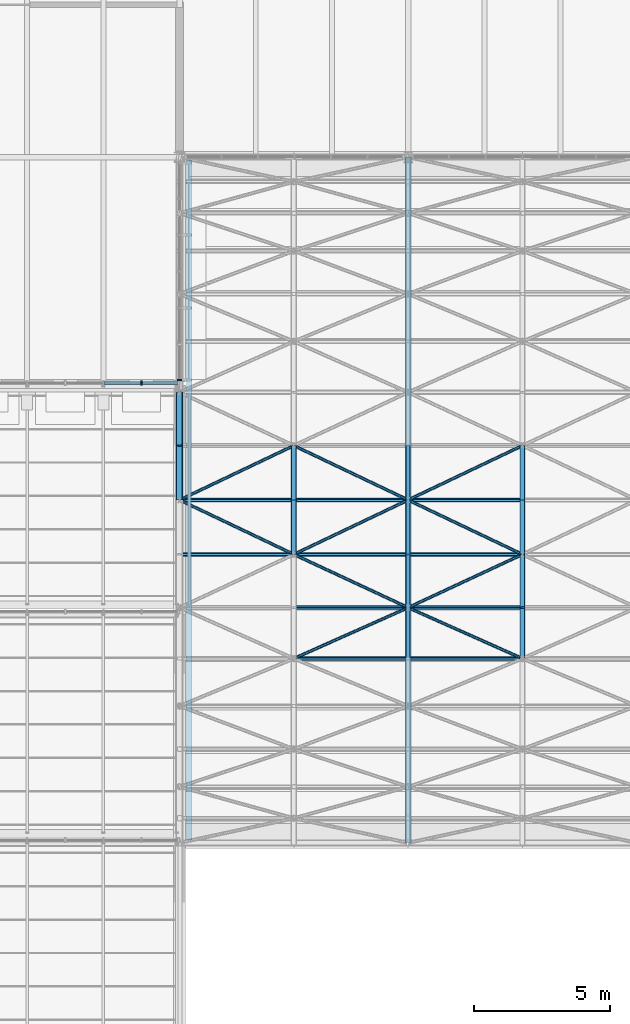
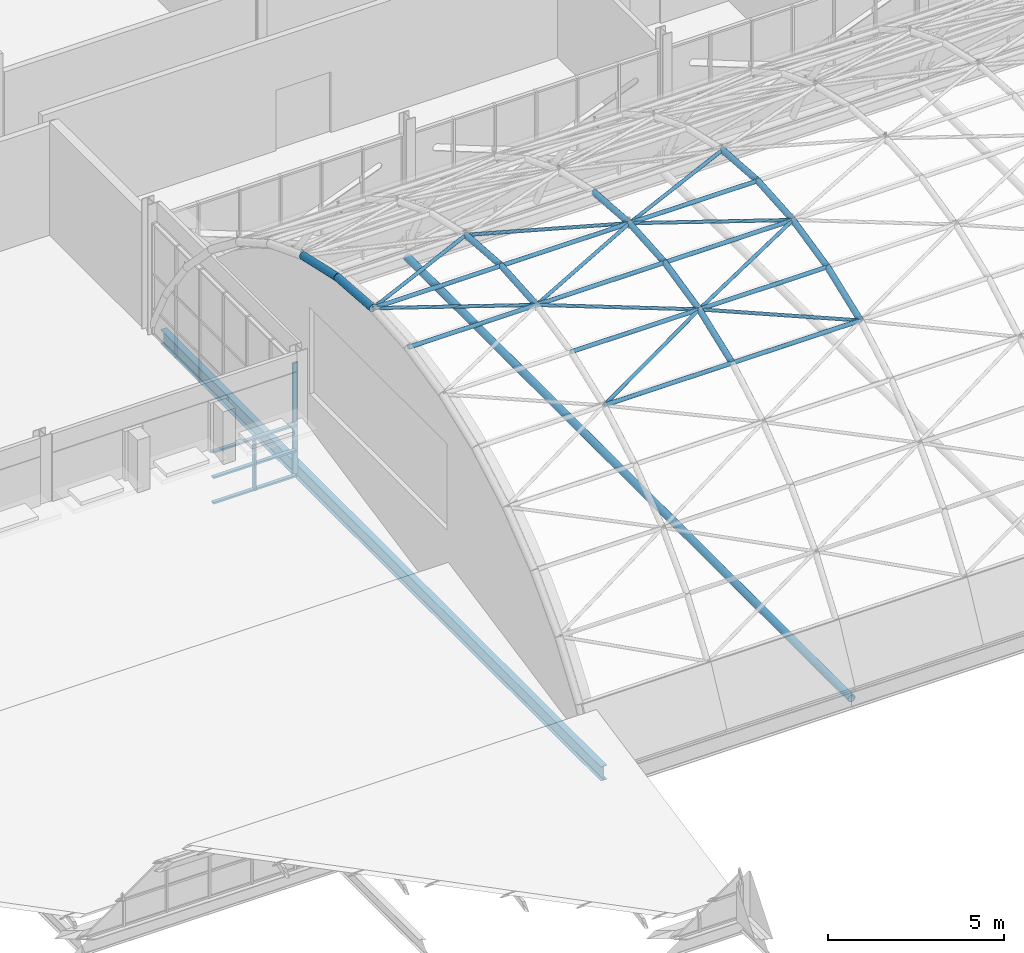
# One storey, part 42 of 121: 41 members, 1 beam, 2 elements without a shape of their own.
"""IFC4 building model written with IfcOpenShell, lengths in metres."""

from ifc_helpers import new_model, si_unit, direction, frame, origin, origin_2d, place, context, subcontext, project, spatial, rectangle, hollow_circle, i_section, extrude, material, layer, layer_set, material_profile, profile_set, type_object, element, aggregate, save


model = new_model("IFC4")

# Units and contexts
model_context = context("Model", 3, precision=1e-05, world=origin(), true_north=direction((0.0, 1.0)))
body_context = subcontext(model_context, "Body", "Model", "MODEL_VIEW")
ifc_project = project(units=[si_unit("LENGTHUNIT", "METRE"), si_unit("AREAUNIT", "SQUARE_METRE"), si_unit("VOLUMEUNIT", "CUBIC_METRE"), si_unit("PLANEANGLEUNIT", "RADIAN"), si_unit("MASSUNIT", "GRAM", prefix="KILO")], contexts=[model_context])

# Site, building, storey
site_placement = place(None, origin())
site = spatial("IfcSite", under=ifc_project, at=site_placement, CompositionType="ELEMENT")
building_placement = place(site_placement, origin())
building = spatial("IfcBuilding", under=site, at=building_placement, Name="Ardhachandra Cancer Care Centre", CompositionType="ELEMENT")
storey_placement = place(building_placement, frame((0.0, 0.0, 9.0)))
storey = spatial("IfcBuildingStorey", under=building, at=storey_placement, Name="L02", CompositionType="ELEMENT", Elevation=9.0)

# Curtain wall, member
ifc_material_1 = material(Name="Aluminium extrusion", Category="aluminium")
ifc_layer = layer(ifc_material_1, 0.14990234375)
ifc_layer_set = layer_set([ifc_layer], Name="Aluminium extrusion")
curtain_wall_type = type_object("IfcCurtainWallType", Name="Curtain wall run", PredefinedType="NOTDEFINED", material=ifc_layer_set)
curtain_wall_1_placement = place(storey_placement, origin())
curtain_wall_1 = element("IfcCurtainWall", 1, at=curtain_wall_1_placement, inside=storey, type_object=curtain_wall_type, Name="Curtain wall L02 e/0044400_0071400", PredefinedType="NOTDEFINED")
ifc_material_2 = material(Name="Aluminium extrusion", Category="aluminium")
ifc_material_profile_1 = material_profile(ifc_material_2, rectangle(XDim=0.159912109375, YDim=0.06005859375, at=origin_2d()), Name="Curtain wall mullion 60 x 160")
ifc_profile_set_1 = profile_set([ifc_material_profile_1], Name="Aluminium extrusion")
member_type_1 = type_object("IfcMemberType", Name="Curtain wall mullion 60 x 160", PredefinedType="MULLION", material=ifc_profile_set_1)
member_1_placement = place(storey_placement, frame((44.39990234375, 71.614013671875, 0.0), z_axis=(0.0, 0.0, 1.0), x_axis=(-1.0, 0.0, 0.0)))
member_1 = element("IfcMember", 2, at=member_1_placement, type_object=member_type_1, Name="CW mullion 1", PredefinedType="MULLION", context=body_context, shape_type="SweptSolid", body=[
    extrude(rectangle(XDim=0.159912109375, YDim=0.06005859375, at=origin_2d()), origin(), (0.0, 0.0, 1.0), 3.85009765625),
])
aggregate(curtain_wall_1, [member_1])

# Curtain wall, members
curtain_wall_2_placement = place(storey_placement, origin())
curtain_wall_2 = element("IfcCurtainWall", 3, at=curtain_wall_2_placement, inside=storey, type_object=curtain_wall_type, Name="Curtain wall L02 n/0019200_0071500", PredefinedType="NOTDEFINED")
member_2_placement = place(storey_placement, frame((43.0, 71.5, 0.0), z_axis=(0.0, 0.0, 1.0), x_axis=(0.0, 1.0, 0.0)))
member_2 = element("IfcMember", 4, at=member_2_placement, type_object=member_type_1, Name="CW mullion 18", PredefinedType="MULLION", context=body_context, shape_type="SweptSolid", body=[
    extrude(rectangle(XDim=0.159912109375, YDim=0.06005859375, at=origin_2d()), origin(), (0.0, 0.0, 1.0), 1.820068359375),
])
ifc_material_3 = material(Name="Aluminium extrusion", Category="aluminium")
ifc_material_profile_2 = material_profile(ifc_material_3, rectangle(XDim=0.1201171875, YDim=0.06005859375, at=origin_2d()), Name="Curtain wall transom 60 x 120")
ifc_profile_set_2 = profile_set([ifc_material_profile_2], Name="Aluminium extrusion")
member_type_2 = type_object("IfcMemberType", Name="Curtain wall transom 60 x 120", PredefinedType="USERDEFINED", material=ifc_profile_set_2)
member_3_placement = place(storey_placement, frame((41.6298828125, 71.5, 0.030029296875), z_axis=(1.0, 0.0, 0.0), x_axis=(0.0, 1.0, 0.0)))
member_3 = element("IfcMember", 5, at=member_3_placement, type_object=member_type_2, Name="CW transom 17.1", ObjectType="TRANSOM", PredefinedType="USERDEFINED", context=body_context, shape_type="SweptSolid", body=[
    extrude(rectangle(XDim=0.1201171875, YDim=0.06005859375, at=origin_2d()), origin(), (0.0, 0.0, 1.0), 1.340087890625),
])
member_4_placement = place(storey_placement, frame((41.6298828125, 71.5, 0.909912109375), z_axis=(1.0, 0.0, 0.0), x_axis=(0.0, 1.0, 0.0)))
member_4 = element("IfcMember", 6, at=member_4_placement, type_object=member_type_2, Name="CW transom 17.2", ObjectType="TRANSOM", PredefinedType="USERDEFINED", context=body_context, shape_type="SweptSolid", body=[
    extrude(rectangle(XDim=0.1201171875, YDim=0.06005859375, at=origin_2d()), origin(), (0.0, 0.0, 1.0), 1.340087890625),
])
member_5_placement = place(storey_placement, frame((41.6298828125, 71.5, 1.7900390625), z_axis=(1.0, 0.0, 0.0), x_axis=(0.0, 1.0, 0.0)))
member_5 = element("IfcMember", 7, at=member_5_placement, type_object=member_type_2, Name="CW transom 17.3", ObjectType="TRANSOM", PredefinedType="USERDEFINED", context=body_context, shape_type="SweptSolid", body=[
    extrude(rectangle(XDim=0.1201171875, YDim=0.06005859375, at=origin_2d()), origin(), (0.0, 0.0, 1.0), 1.340087890625),
])
member_6_placement = place(storey_placement, frame((43.030029296875, 71.5, 0.030029296875), z_axis=(1.0, 0.0, 0.0), x_axis=(0.0, 1.0, 0.0)))
member_6 = element("IfcMember", 8, at=member_6_placement, type_object=member_type_2, Name="CW transom 18.1", ObjectType="TRANSOM", PredefinedType="USERDEFINED", context=body_context, shape_type="SweptSolid", body=[
    extrude(rectangle(XDim=0.1201171875, YDim=0.06005859375, at=origin_2d()), origin(), (0.0, 0.0, 1.0), 1.31005859375),
])
member_7_placement = place(storey_placement, frame((43.030029296875, 71.5, 0.909912109375), z_axis=(1.0, 0.0, 0.0), x_axis=(0.0, 1.0, 0.0)))
member_7 = element("IfcMember", 9, at=member_7_placement, type_object=member_type_2, Name="CW transom 18.2", ObjectType="TRANSOM", PredefinedType="USERDEFINED", context=body_context, shape_type="SweptSolid", body=[
    extrude(rectangle(XDim=0.1201171875, YDim=0.06005859375, at=origin_2d()), origin(), (0.0, 0.0, 1.0), 1.31005859375),
])
member_8_placement = place(storey_placement, frame((43.030029296875, 71.5, 1.7900390625), z_axis=(1.0, 0.0, 0.0), x_axis=(0.0, 1.0, 0.0)))
member_8 = element("IfcMember", 10, at=member_8_placement, type_object=member_type_2, Name="CW transom 18.3", ObjectType="TRANSOM", PredefinedType="USERDEFINED", context=body_context, shape_type="SweptSolid", body=[
    extrude(rectangle(XDim=0.1201171875, YDim=0.06005859375, at=origin_2d()), origin(), (0.0, 0.0, 1.0), 1.31005859375),
])
aggregate(curtain_wall_2, [member_2, member_3, member_4, member_5, member_6, member_7, member_8])

# Beam
ifc_material_4 = material(Name="Steel E350 (IS 2062)", Category="steel")
ifc_material_profile_3 = material_profile(ifc_material_4, i_section(OverallWidth=0.199951171875, OverallDepth=0.5, WebThickness=0.01025390625, FlangeThickness=0.01611328125, FilletRadius=0.02099609375, at=origin_2d()), Name="NPB 500x200x90.68")
ifc_profile_set_3 = profile_set([ifc_material_profile_3], Name="Steel E350 (IS 2062)")
beam_type = type_object("IfcBeamType", Name="Gable sill beam NPB 500x200x90.68", PredefinedType="BEAM", material=ifc_profile_set_3)
beam_placement = place(storey_placement, frame((44.7548828125, 54.7099609375, -0.25), z_axis=(0.0, 1.0, 0.0), x_axis=(-1.0, 0.0, 0.0)))
element("IfcBeam", 11, at=beam_placement, inside=storey, type_object=beam_type, Name="Hall gable sill beam west", PredefinedType="BEAM", context=body_context, shape_type="SweptSolid", body=[
    extrude(i_section(OverallWidth=0.199951171875, OverallDepth=0.5, WebThickness=0.01025390625, FlangeThickness=0.01611328125, FilletRadius=0.02099609375, at=origin_2d()), origin(), (0.0, 0.0, 1.0), 24.97998046875),
])

# Members
ifc_material_5 = material(Name="Steel E350 (IS 2062)", Category="steel")
ifc_material_profile_4 = material_profile(ifc_material_5, hollow_circle(Radius=0.05712890625, WallThickness=0.0048828125, at=origin_2d()), Name="CHS 114.3x5.0")
ifc_profile_set_4 = profile_set([ifc_material_profile_4], Name="Steel E350 (IS 2062)")
member_type_3 = type_object("IfcMemberType", Name="Hall shell Diagonal CHS 114.3x5.0", PredefinedType="BRACE", material=ifc_profile_set_4)
for number, where, z_axis, x_axis, name in (
    (12, (48.60009765625, 65.20068359375, 8.252685546875), (-0.902477549799, 0.429573858132, 0.031631827629), (-0.42978892944, -0.902929386016, 0.0), "Hall shell diagonal 01-07"),
    (13, (44.39990234375, 67.199951171875, 8.39990234375), (0.902477549799, 0.429573858132, -0.031631827629), (-0.42978892944, 0.902929386016, 0.0), "Hall shell diagonal 00-08"),
):
    element("IfcMember", number, at=place(storey_placement, frame(where, z_axis=z_axis, x_axis=x_axis)), inside=storey, type_object=member_type_3, Name=name, PredefinedType="BRACE", context=body_context, shape_type="SweptSolid", body=[
        extrude(hollow_circle(Radius=0.05712890625, WallThickness=0.0048828125, at=origin_2d()), origin(), (0.0, 0.0, 1.0), 4.654052734375),
    ])
for number, where, z_axis, x_axis, name in (
    (14, (48.60009765625, 61.37353515625, 7.093994140625), (0.902466898758, 0.401999874742, 0.154756574512), (-0.406901972634, 0.913471830253, 0.0), "Hall shell diagonal 01-05"),
    (15, (52.800048828125, 63.244384765625, 7.814208984375), (-0.902454833565, 0.420355204404, 0.094216641346), (-0.422233417443, -0.906487143425, 0.0), "Hall shell diagonal 02-06"),
    (16, (48.60009765625, 65.20068359375, 8.252685546875), (0.902467816457, 0.42959419572, 0.031633325195), (-0.429809297591, 0.902919690617, 0.0), "Hall shell diagonal 01-07"),
    (17, (52.800048828125, 67.199951171875, 8.39990234375), (-0.902467816457, 0.42959419572, -0.031633325195), (-0.429809297591, -0.902919690617, 0.0), "Hall shell diagonal 02-08"),
    (18, (57.0, 61.37353515625, 7.093994140625), (-0.902466898758, 0.401999874742, 0.154756574512), (-0.406901972634, -0.913471830253, 0.0), "Hall shell diagonal 03-05"),
    (19, (52.800048828125, 63.244384765625, 7.814208984375), (0.902454833565, 0.420355204404, 0.094216641346), (-0.422233417443, 0.906487143425, 0.0), "Hall shell diagonal 02-06"),
    (20, (57.0, 65.20068359375, 8.252685546875), (-0.902467816457, 0.42959419572, 0.031633325195), (-0.429809297591, -0.902919690617, 0.0), "Hall shell diagonal 03-07"),
    (21, (52.800048828125, 67.199951171875, 8.39990234375), (0.902467816457, 0.42959419572, -0.031633325195), (-0.429809297591, 0.902919690617, 0.0), "Hall shell diagonal 02-08"),
):
    element("IfcMember", number, at=place(storey_placement, frame(where, z_axis=z_axis, x_axis=x_axis)), inside=storey, type_object=member_type_3, Name=name, PredefinedType="BRACE", context=body_context, shape_type="SweptSolid", body=[
        extrude(hollow_circle(Radius=0.05712890625, WallThickness=0.0048828125, at=origin_2d()), origin(), (0.0, 0.0, 1.0), 4.65380859375),
    ])
ifc_material_6 = material(Name="Steel E350 (IS 2062)", Category="steel")
ifc_material_profile_5 = material_profile(ifc_material_6, hollow_circle(Radius=0.06982421875, WallThickness=0.0048828125, at=origin_2d()), Name="CHS 139.7x5.0")
ifc_profile_set_5 = profile_set([ifc_material_profile_5], Name="Steel E350 (IS 2062)")
member_type_4 = type_object("IfcMemberType", Name="Hall shell Purlin CHS 139.7x5.0", PredefinedType="PURLIN", material=ifc_profile_set_5)
for number, where, z_axis, x_axis, name in (
    (22, (48.60009765625, 61.37353515625, 7.093994140625), (1.0, 0.0, 0.0), (0.0, 1.0, 0.0), "Hall shell purlin 01-05"),
    (23, (52.800048828125, 61.37353515625, 7.093994140625), (1.0, 0.0, 0.0), (0.0, 1.0, 0.0), "Hall shell purlin 02-05"),
    (24, (48.60009765625, 63.244384765625, 7.814208984375), (1.0, 0.0, 0.0), (0.0, 1.0, 0.0), "Hall shell purlin 01-06"),
    (25, (52.800048828125, 63.244384765625, 7.814208984375), (1.0, 0.0, 0.0), (0.0, 1.0, 0.0), "Hall shell purlin 02-06"),
):
    element("IfcMember", number, at=place(storey_placement, frame(where, z_axis=z_axis, x_axis=x_axis)), inside=storey, type_object=member_type_4, Name=name, PredefinedType="PURLIN", context=body_context, shape_type="SweptSolid", body=[
        extrude(hollow_circle(Radius=0.06982421875, WallThickness=0.0048828125, at=origin_2d()), origin(), (0.0, 0.0, 1.0), 4.199951171875),
    ])
member_9_placement = place(storey_placement, frame((44.39990234375, 65.20068359375, 8.252685546875), z_axis=(1.0, 0.0, 0.0), x_axis=(0.0, 1.0, 0.0)))
element("IfcMember", 26, at=member_9_placement, inside=storey, type_object=member_type_4, Name="Hall shell purlin 00-07", PredefinedType="PURLIN", context=body_context, shape_type="SweptSolid", body=[
    extrude(hollow_circle(Radius=0.06982421875, WallThickness=0.0048828125, at=origin_2d()), origin(), (0.0, 0.0, 1.0), 4.2001953125),
])
for number, where, z_axis, x_axis, name in (
    (27, (48.60009765625, 65.20068359375, 8.252685546875), (1.0, 0.0, 0.0), (0.0, 1.0, 0.0), "Hall shell purlin 01-07"),
    (28, (52.800048828125, 65.20068359375, 8.252685546875), (1.0, 0.0, 0.0), (0.0, 1.0, 0.0), "Hall shell purlin 02-07"),
):
    element("IfcMember", number, at=place(storey_placement, frame(where, z_axis=z_axis, x_axis=x_axis)), inside=storey, type_object=member_type_4, Name=name, PredefinedType="PURLIN", context=body_context, shape_type="SweptSolid", body=[
        extrude(hollow_circle(Radius=0.06982421875, WallThickness=0.0048828125, at=origin_2d()), origin(), (0.0, 0.0, 1.0), 4.199951171875),
    ])
member_10_placement = place(storey_placement, frame((44.39990234375, 67.199951171875, 8.39990234375), z_axis=(1.0, 0.0, 0.0), x_axis=(0.0, 1.0, 0.0)))
element("IfcMember", 29, at=member_10_placement, inside=storey, type_object=member_type_4, Name="Hall shell purlin 00-08", PredefinedType="PURLIN", context=body_context, shape_type="SweptSolid", body=[
    extrude(hollow_circle(Radius=0.06982421875, WallThickness=0.0048828125, at=origin_2d()), origin(), (0.0, 0.0, 1.0), 4.2001953125),
])
for number, where, z_axis, x_axis, name in (
    (30, (48.60009765625, 67.199951171875, 8.39990234375), (1.0, 0.0, 0.0), (0.0, 1.0, 0.0), "Hall shell purlin 01-08"),
    (31, (52.800048828125, 67.199951171875, 8.39990234375), (1.0, 0.0, 0.0), (0.0, 1.0, 0.0), "Hall shell purlin 02-08"),
):
    element("IfcMember", number, at=place(storey_placement, frame(where, z_axis=z_axis, x_axis=x_axis)), inside=storey, type_object=member_type_4, Name=name, PredefinedType="PURLIN", context=body_context, shape_type="SweptSolid", body=[
        extrude(hollow_circle(Radius=0.06982421875, WallThickness=0.0048828125, at=origin_2d()), origin(), (0.0, 0.0, 1.0), 4.199951171875),
    ])
ifc_material_7 = material(Name="Steel E350 (IS 2062)", Category="steel")
ifc_material_profile_6 = material_profile(ifc_material_7, hollow_circle(Radius=0.096923828125, WallThickness=0.008056640625, at=origin_2d()), Name="CHS 193.7x8.0")
ifc_profile_set_6 = profile_set([ifc_material_profile_6], Name="Steel E350 (IS 2062)")
member_type_5 = type_object("IfcMemberType", Name="Hall shell Rib CHS 193.7x8.0", PredefinedType="RAFTER", material=ifc_profile_set_6)
for number, where, z_axis, x_axis, name in (
    (32, (48.60009765625, 65.20068359375, 8.252685546875), (0.0, 0.997299891926, 0.073436541071), (-1.0, 0.0, 0.0), "Hall shell rib 01-07"),
    (33, (48.60009765625, 67.199951171875, 8.39990234375), (0.0, 0.997299891926, -0.073436541071), (-1.0, 0.0, 0.0), "Hall shell rib 01-08"),
    (34, (52.800048828125, 61.37353515625, 7.093994140625), (0.0, 0.933235705219, 0.359264691426), (-1.0, 0.0, 0.0), "Hall shell rib 02-05"),
):
    element("IfcMember", number, at=place(storey_placement, frame(where, z_axis=z_axis, x_axis=x_axis)), inside=storey, type_object=member_type_5, Name=name, PredefinedType="RAFTER", context=body_context, shape_type="SweptSolid", body=[
        extrude(hollow_circle(Radius=0.096923828125, WallThickness=0.008056640625, at=origin_2d()), origin(), (0.0, 0.0, 1.0), 2.004638671875),
    ])
member_11_placement = place(storey_placement, frame((52.800048828125, 63.244384765625, 7.814208984375), z_axis=(0.0, 0.9757900251, 0.218709457766), x_axis=(-1.0, 0.0, 0.0)))
element("IfcMember", 35, at=member_11_placement, inside=storey, type_object=member_type_5, Name="Hall shell rib 02-06", PredefinedType="RAFTER", context=body_context, shape_type="SweptSolid", body=[
    extrude(hollow_circle(Radius=0.096923828125, WallThickness=0.008056640625, at=origin_2d()), origin(), (0.0, 0.0, 1.0), 2.0048828125),
])
for number, where, z_axis, x_axis, name in (
    (36, (52.800048828125, 65.20068359375, 8.252685546875), (0.0, 0.997299891926, 0.073436541071), (-1.0, 0.0, 0.0), "Hall shell rib 02-07"),
    (37, (52.800048828125, 67.199951171875, 8.39990234375), (0.0, 0.997299891926, -0.073436541071), (-1.0, 0.0, 0.0), "Hall shell rib 02-08"),
    (38, (57.0, 61.37353515625, 7.093994140625), (0.0, 0.933235705219, 0.359264691426), (-1.0, 0.0, 0.0), "Hall shell rib 03-05"),
):
    element("IfcMember", number, at=place(storey_placement, frame(where, z_axis=z_axis, x_axis=x_axis)), inside=storey, type_object=member_type_5, Name=name, PredefinedType="RAFTER", context=body_context, shape_type="SweptSolid", body=[
        extrude(hollow_circle(Radius=0.096923828125, WallThickness=0.008056640625, at=origin_2d()), origin(), (0.0, 0.0, 1.0), 2.004638671875),
    ])
member_12_placement = place(storey_placement, frame((57.0, 63.244384765625, 7.814208984375), z_axis=(0.0, 0.9757900251, 0.218709457766), x_axis=(-1.0, 0.0, 0.0)))
element("IfcMember", 39, at=member_12_placement, inside=storey, type_object=member_type_5, Name="Hall shell rib 03-06", PredefinedType="RAFTER", context=body_context, shape_type="SweptSolid", body=[
    extrude(hollow_circle(Radius=0.096923828125, WallThickness=0.008056640625, at=origin_2d()), origin(), (0.0, 0.0, 1.0), 2.0048828125),
])
for number, where, z_axis, x_axis, name in (
    (40, (57.0, 65.20068359375, 8.252685546875), (0.0, 0.997299891926, 0.073436541071), (-1.0, 0.0, 0.0), "Hall shell rib 03-07"),
    (41, (57.0, 67.199951171875, 8.39990234375), (0.0, 0.997299891926, -0.073436541071), (-1.0, 0.0, 0.0), "Hall shell rib 03-08"),
):
    element("IfcMember", number, at=place(storey_placement, frame(where, z_axis=z_axis, x_axis=x_axis)), inside=storey, type_object=member_type_5, Name=name, PredefinedType="RAFTER", context=body_context, shape_type="SweptSolid", body=[
        extrude(hollow_circle(Radius=0.096923828125, WallThickness=0.008056640625, at=origin_2d()), origin(), (0.0, 0.0, 1.0), 2.004638671875),
    ])
ifc_material_8 = material(Name="Steel E350 (IS 2062)", Category="steel")
ifc_material_profile_7 = material_profile(ifc_material_8, hollow_circle(Radius=0.122314453125, WallThickness=0.010009765625, at=origin_2d()), Name="CHS 244.5x10.0")
ifc_profile_set_7 = profile_set([ifc_material_profile_7], Name="Steel E350 (IS 2062)")
member_type_6 = type_object("IfcMemberType", Name="Hall shell Rib CHS 244.5x10.0", PredefinedType="RAFTER", material=ifc_profile_set_7)
member_13_placement = place(storey_placement, frame((44.39990234375, 67.199951171875, 8.39990234375), z_axis=(0.0, 0.997299891926, -0.073436541071), x_axis=(-1.0, 0.0, 0.0)))
element("IfcMember", 42, at=member_13_placement, inside=storey, type_object=member_type_6, Name="Hall shell rib 00-08", PredefinedType="RAFTER", context=body_context, shape_type="SweptSolid", body=[
    extrude(hollow_circle(Radius=0.122314453125, WallThickness=0.010009765625, at=origin_2d()), origin(), (0.0, 0.0, 1.0), 2.004638671875),
])
member_14_placement = place(storey_placement, frame((44.39990234375, 69.19921875, 8.252685546875), z_axis=(0.0, 0.9757900251, -0.218709457766), x_axis=(-1.0, 0.0, 0.0)))
element("IfcMember", 43, at=member_14_placement, inside=storey, type_object=member_type_6, Name="Hall shell rib 00-09", PredefinedType="RAFTER", context=body_context, shape_type="SweptSolid", body=[
    extrude(hollow_circle(Radius=0.122314453125, WallThickness=0.010009765625, at=origin_2d()), origin(), (0.0, 0.0, 1.0), 2.0048828125),
])
ifc_material_9 = material(Name="Steel E350 (IS 2062)", Category="steel")
ifc_material_profile_8 = material_profile(ifc_material_9, hollow_circle(Radius=0.122314453125, WallThickness=0.010009765625, at=origin_2d()), Name="CHS 244.5x10.0")
ifc_profile_set_8 = profile_set([ifc_material_profile_8], Name="Steel E350 (IS 2062)")
member_type_7 = type_object("IfcMemberType", Name="Hall tie CHS 244.5x10.0", PredefinedType="MEMBER", material=ifc_profile_set_8)
member_15_placement = place(storey_placement, frame((52.800048828125, 54.60009765625, -0.41455078125), z_axis=(0.0, 1.0, 0.0), x_axis=(-1.0, 0.0, 0.0)))
element("IfcMember", 44, at=member_15_placement, inside=storey, type_object=member_type_7, Name="Hall tie 01", PredefinedType="MEMBER", context=body_context, shape_type="SweptSolid", body=[
    extrude(hollow_circle(Radius=0.122314453125, WallThickness=0.010009765625, at=origin_2d()), origin(), (0.0, 0.0, 1.0), 25.199951171875),
])

save(model, "model.ifc")
